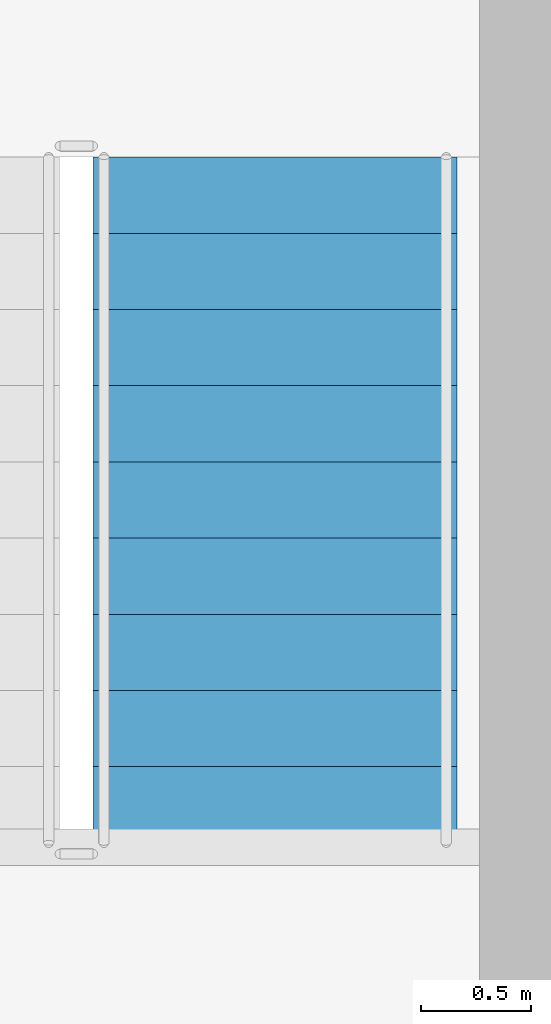
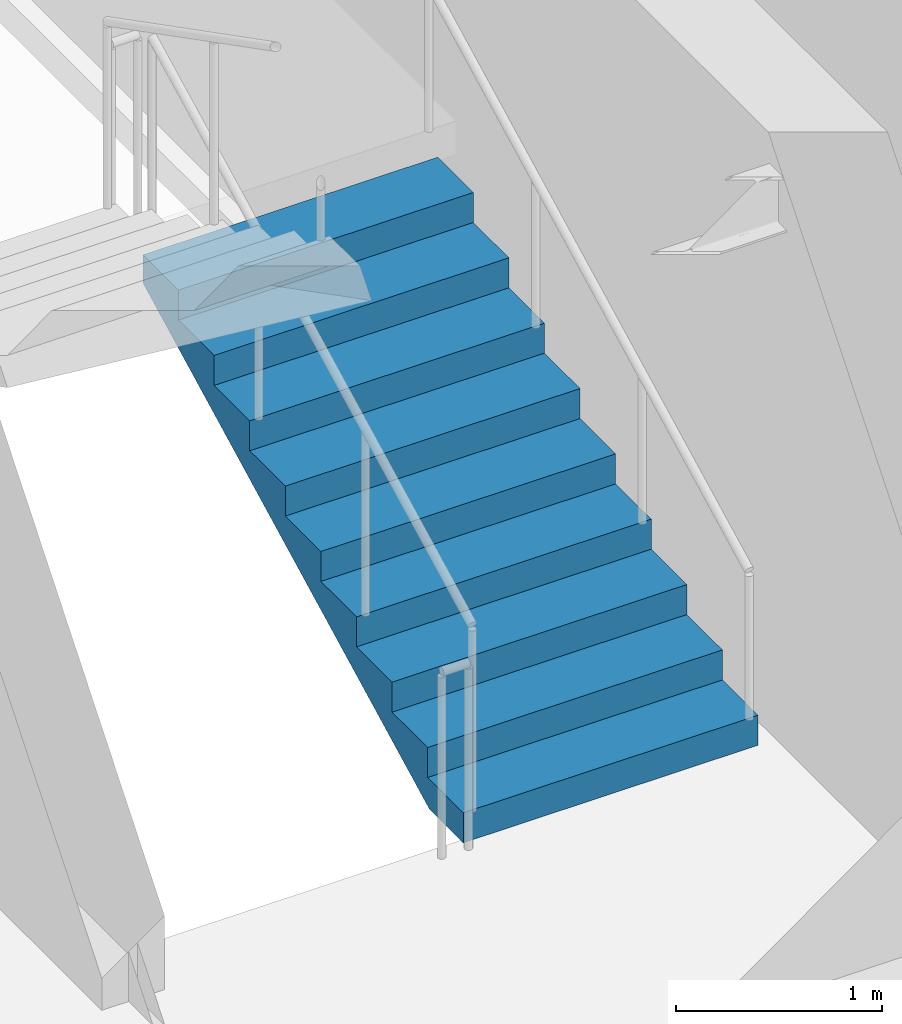
# One storey, part 8 of 9: 1 stair flight, 1 element without a shape of its own.
"""IFC4 building model written with IfcOpenShell, lengths in metres."""

import ifcopenshell
import ifcopenshell.guid

model = None  # the IFC model being written
_history = None  # IfcOwnerHistory: only IFC2X3 demands one
_inside = {}  # id of a spatial element -> (the spatial element, [elements in it])
_under = {}  # id of a project, library or spatial element -> (it, [spatial elements below it])
_declared = {}  # id of a project -> (the project, [libraries it declares])
_typed = {}  # id of a type object -> (the type object, [elements of that type])
_made_of = {}  # id of a material, layer set ... -> (it, [elements and type objects made of it])


def new_model(schema):
    """Start an empty IFC model of exactly this schema.

    Asked for "IFC4X3", IfcOpenShell would pick the latest addendum, in which some entities
    have other attributes; the version numbers below select the first issue.
    IFC2X3 requires an IfcOwnerHistory on every rooted entity: one is made here for all.
    """
    global model, _history
    if schema == "IFC4X3":
        model = ifcopenshell.file(schema_version=(4, 3, 0, 0))
    else:
        model = ifcopenshell.file(schema=schema)
    _inside.clear()
    _under.clear()
    _declared.clear()
    _typed.clear()
    _made_of.clear()
    _history = None
    if model.schema == "IFC2X3":
        org = make("IfcOrganization", Name="unknown")
        user = make(
            "IfcPersonAndOrganization",
            ThePerson=make("IfcPerson", FamilyName="unknown"),
            TheOrganization=org,
        )
        app = make(
            "IfcApplication",
            ApplicationDeveloper=org,
            Version="unknown",
            ApplicationFullName="unknown",
            ApplicationIdentifier="unknown",
        )
        _history = make(
            "IfcOwnerHistory",
            OwningUser=user,
            OwningApplication=app,
            ChangeAction="ADDED",
            CreationDate=0,
        )
    return model


def make(cls, **values):
    """One entity of the class cls with the attributes given. An attribute that is None is left unset."""
    return model.create_entity(
        cls, **{name: value for name, value in values.items() if value is not None}
    )


def rooted(cls, **values):
    """An entity with a GlobalId (a new one), such as an element, a storey or a relation."""
    return make(cls, GlobalId=ifcopenshell.guid.new(), OwnerHistory=_history, **values)


def si_unit(unit_type, name, prefix=None):
    """IfcSIUnit, for example si_unit("LENGTHUNIT", "METRE", prefix="MILLI")."""
    return make("IfcSIUnit", UnitType=unit_type, Prefix=prefix, Name=name)


def assignment(units):
    """IfcUnitAssignment: the units of a project."""
    return None if units is None else make("IfcUnitAssignment", Units=units)


def point(xyz):
    """IfcCartesianPoint."""
    return None if xyz is None else make("IfcCartesianPoint", Coordinates=xyz)


def direction(xyz):
    """IfcDirection."""
    return None if xyz is None else make("IfcDirection", DirectionRatios=xyz)


def frame(location, z_axis=None, x_axis=None):
    """IfcAxis2Placement3D, a coordinate frame: its origin and axes. An axis left out is left unset."""
    return make(
        "IfcAxis2Placement3D",
        Location=point(location),
        Axis=direction(z_axis),
        RefDirection=direction(x_axis),
    )


def origin():
    """The frame at (0, 0, 0) with its axes left unset."""
    return frame((0.0, 0.0, 0.0))


def place(relative_to, where):
    """IfcLocalPlacement: puts the frame where relative to a parent placement (None: the world)."""
    return make(
        "IfcLocalPlacement", PlacementRelTo=relative_to, RelativePlacement=where
    )


def context(
    kind, dimensions, precision=None, world=None, true_north=None, identifier=None
):
    """IfcGeometricRepresentationContext, for example the 3D "Model" context."""
    return make(
        "IfcGeometricRepresentationContext",
        ContextIdentifier=identifier,
        ContextType=kind,
        CoordinateSpaceDimension=dimensions,
        Precision=precision,
        WorldCoordinateSystem=world,
        TrueNorth=true_north,
    )


def subcontext(parent, identifier, kind, view, scale=None):
    """IfcGeometricRepresentationSubContext, for example "Body" below "Model"."""
    return make(
        "IfcGeometricRepresentationSubContext",
        ContextIdentifier=identifier,
        ContextType=kind,
        ParentContext=parent,
        TargetScale=scale,
        TargetView=view,
    )


def project(units=None, contexts=None):
    """IfcProject with its units and contexts."""
    return rooted(
        "IfcProject",
        Name="project",
        RepresentationContexts=contexts,
        UnitsInContext=assignment(units),
    )


def spatial(cls, under=None, at=None, **own):
    """A site, building, storey or space (cls), placed at a placement, below another one or the project."""
    s = rooted(cls, ObjectPlacement=at, **own)
    if under is not None:
        _under.setdefault(under.id(), (under, []))[1].append(s)
    return s


def polyline(points):
    """IfcPolyline through the points."""
    return make("IfcPolyline", Points=[point(p) for p in points])


def outline(outer, holes=None, kind="AREA"):
    """IfcArbitraryClosedProfileDef: a profile drawn as a closed curve; with holes, ...WithVoids."""
    if holes is None:
        return make("IfcArbitraryClosedProfileDef", ProfileType=kind, OuterCurve=outer)
    return make(
        "IfcArbitraryProfileDefWithVoids",
        ProfileType=kind,
        OuterCurve=outer,
        InnerCurves=holes,
    )


def extrude(swept, where, along, depth):
    """IfcExtrudedAreaSolid: the profile swept, set in the frame where, extruded along a direction by depth."""
    return make(
        "IfcExtrudedAreaSolid",
        SweptArea=swept,
        Position=where,
        ExtrudedDirection=direction(along),
        Depth=depth,
    )


def shape(context_of_items, identifier, shape_type, items):
    """IfcShapeRepresentation: the items that make up one representation, for example the "Body"."""
    return make(
        "IfcShapeRepresentation",
        ContextOfItems=context_of_items,
        RepresentationIdentifier=identifier,
        RepresentationType=shape_type,
        Items=items,
    )


def material(Name=None, Category=None):
    """IfcMaterial."""
    return make("IfcMaterial", Name=Name, Category=Category)


def made_of(thing, what):
    """Note that an element or type object is made of a material, layer set ...; save() writes the relation."""
    if what is not None:
        _made_of.setdefault(what.id(), (what, []))[1].append(thing)
    return thing


def type_object(cls, material=None, **own):
    """A type object (cls), such as IfcWallType, which elements share."""
    return made_of(rooted(cls, **own), material)


def element(
    cls,
    number,
    at=None,
    inside=None,
    cuts=None,
    type_object=None,
    material=None,
    context=None,
    identifier="Body",
    shape_type=None,
    held_by="IfcProductDefinitionShape",
    body=None,
    shapes=None,
    **own,
):
    """One element of the class cls, such as IfcWall. Its Tag is "e" and its number.

    at: its placement. inside: the storey or other place that contains it. cuts: it is an
    opening in that element (IfcRelVoidsElement). A single representation is given by context,
    identifier, shape_type and body (its items); several are given by shapes. held_by: the class
    of the entity that holds the representations. save() writes the other relations.
    """
    e = rooted(cls, Tag="e%d" % number, ObjectPlacement=at, **own)
    if body is not None:
        shapes = [shape(context, identifier, shape_type, body)]
    if shapes is not None:
        e.Representation = make(held_by, Representations=shapes)
    if inside is not None:
        _inside.setdefault(inside.id(), (inside, []))[1].append(e)
    if cuts is not None:
        rooted(
            "IfcRelVoidsElement", RelatingBuildingElement=cuts, RelatedOpeningElement=e
        )
    if type_object is not None:
        _typed.setdefault(type_object.id(), (type_object, []))[1].append(e)
    return made_of(e, material)


def aggregate(whole, parts):
    """IfcRelAggregates: a whole, such as a stair, and the parts it consists of."""
    return rooted("IfcRelAggregates", RelatingObject=whole, RelatedObjects=parts)


def save(model, path):
    """Write the relations noted so far, then the file.

    IfcRelAggregates (storeys below a building ...), IfcRelContainedInSpatialStructure (elements
    in a storey), IfcRelDefinesByType, IfcRelAssociatesMaterial and IfcRelDeclares: one each for
    every whole, place, type object, material and project.
    """
    for whole, parts in _under.values():
        aggregate(whole, parts)
    for where, things in _inside.values():
        rooted(
            "IfcRelContainedInSpatialStructure",
            RelatedElements=things,
            RelatingStructure=where,
        )
    for kind, things in _typed.values():
        rooted("IfcRelDefinesByType", RelatedObjects=things, RelatingType=kind)
    for what, things in _made_of.values():
        rooted("IfcRelAssociatesMaterial", RelatedObjects=things, RelatingMaterial=what)
    for by, libraries in _declared.values():
        rooted("IfcRelDeclares", RelatingContext=by, RelatedDefinitions=libraries)
    model.write(path)


model = new_model("IFC4")

# Units and contexts
model_context = context("Model", 3, precision=1e-05, world=origin(), true_north=direction((0.0, 1.0)))
body_context = subcontext(model_context, "Body", "Model", "MODEL_VIEW")
ifc_project = project(units=[si_unit("LENGTHUNIT", "METRE"), si_unit("AREAUNIT", "SQUARE_METRE"), si_unit("VOLUMEUNIT", "CUBIC_METRE"), si_unit("PLANEANGLEUNIT", "RADIAN"), si_unit("MASSUNIT", "GRAM", prefix="KILO")], contexts=[model_context])

# Site, building, storey
site_placement = place(None, origin())
site = spatial("IfcSite", under=ifc_project, at=site_placement, CompositionType="ELEMENT")
building_placement = place(site_placement, origin())
building = spatial("IfcBuilding", under=site, at=building_placement, Name="Tolvann Quenvar Hotel", CompositionType="ELEMENT")
storey_placement = place(building_placement, frame((0.0, 0.0, 209.699951171875)))
storey = spatial("IfcBuildingStorey", under=building, at=storey_placement, Name="L55", CompositionType="ELEMENT", Elevation=209.699951171875)

# Stair, stair flight
ifc_material = material(Name="Concrete N40 (40 MPa)", Category="concrete")
stair_type = type_object("IfcStairType", Name="STAIR", PredefinedType="HALF_TURN_STAIR", material=ifc_material)
stair_placement = place(storey_placement, origin())
stair = element("IfcStair", 1, at=stair_placement, inside=storey, type_object=stair_type, Name="L55 ST-C2", PredefinedType="HALF_TURN_STAIR")
stair_flight_type = type_object("IfcStairFlightType", Name="STAIR_FLIGHT", PredefinedType="STRAIGHT", material=ifc_material)
stair_flight_placement = place(storey_placement, frame((34.574951171875, 34.0, 0.0), z_axis=(0.0, 0.0, 1.0), x_axis=(0.0, 1.0, 0.0)))
stair_flight = element("IfcStairFlight", 2, at=stair_flight_placement, type_object=stair_flight_type, Name="ST-C2 flight 1", NumberOfRisers=10, NumberOfTreads=9, PredefinedType="STRAIGHT", RiserHeight=0.1775, TreadLength=0.345, context=body_context, shape_type="SweptSolid", body=[
    extrude(outline(polyline([(0.0, 0.0), (0.0, 0.177490234375), (0.344970703125, 0.177490234375), (0.344970703125, 0.35498046875), (0.68994140625, 0.35498046875), (0.68994140625, 0.532470703125), (1.034912109375, 0.532470703125), (1.034912109375, 0.7099609375), (1.3798828125, 0.7099609375), (1.3798828125, 0.887451171875), (1.72509765625, 0.887451171875), (1.72509765625, 1.06494140625), (2.070068359375, 1.06494140625), (2.070068359375, 1.242431640625), (2.4150390625, 1.242431640625), (2.4150390625, 1.419921875), (2.760009765625, 1.419921875), (2.760009765625, 1.597412109375), (3.10498046875, 1.597412109375), (3.10498046875, 1.77490234375), (3.10498046875, 1.428955078125), (0.32763671875, 0.0), (0.0, 0.0)])), frame((0.0, 0.824951171875, 0.0), z_axis=(0.0, -1.0, 0.0), x_axis=(1.0, 0.0, 0.0)), (0.0, 0.0, 1.0), 1.64990234375),
])
aggregate(stair, [stair_flight])

save(model, "model.ifc")
